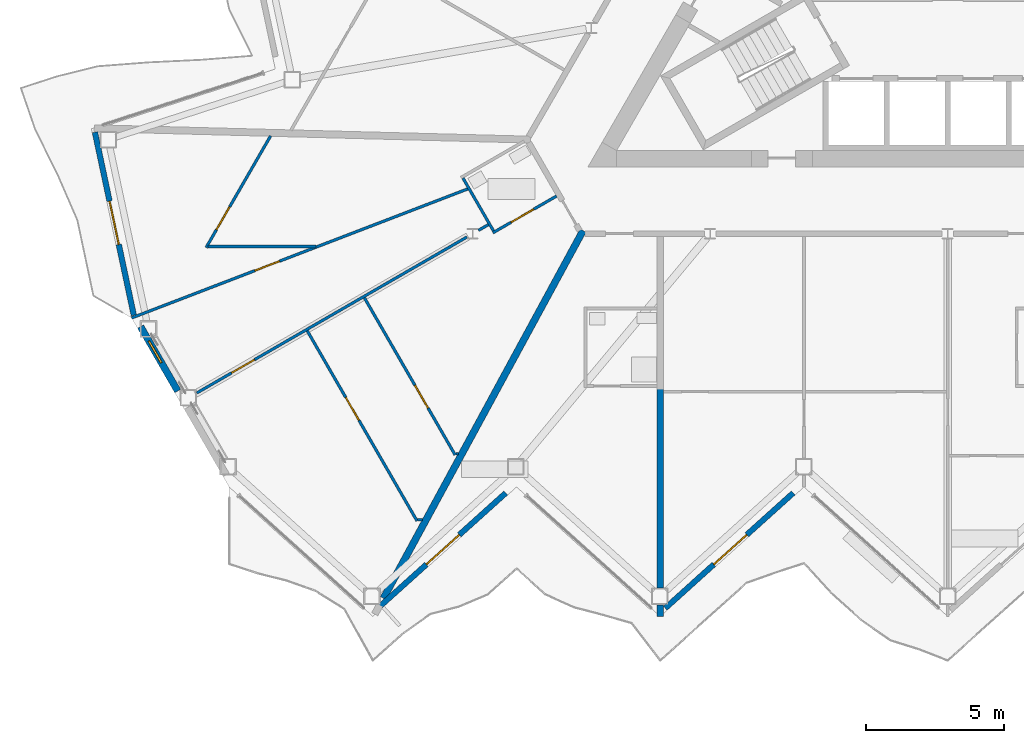
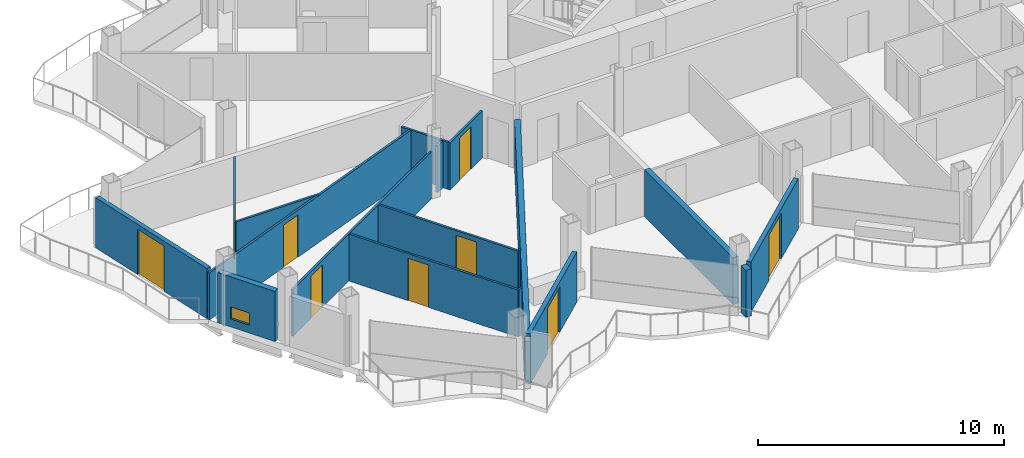
# One storey, part 13 of 28: 18 walls, 9 doors, 1 window, 10 openings.
"""IFC4 building model written with IfcOpenShell, lengths in metres."""

from ifc_helpers import new_model, si_unit, direction, frame, frame_2d, origin, place, context, subcontext, project, spatial, rectangle, extrude, material, layer, layer_set, type_object, element, fill, save


model = new_model("IFC4")

# Units and contexts
model_context = context("Model", 3, precision=1e-05, world=origin(), true_north=direction((0.0, 1.0)))
body_context = subcontext(model_context, "Body", "Model", "MODEL_VIEW")
ifc_project = project(units=[si_unit("LENGTHUNIT", "METRE"), si_unit("AREAUNIT", "SQUARE_METRE"), si_unit("VOLUMEUNIT", "CUBIC_METRE"), si_unit("PLANEANGLEUNIT", "RADIAN"), si_unit("MASSUNIT", "GRAM", prefix="KILO")], contexts=[model_context])

# Site, building, storey
site_placement = place(None, origin())
site = spatial("IfcSite", under=ifc_project, at=site_placement, CompositionType="ELEMENT")
building_placement = place(site_placement, origin())
building = spatial("IfcBuilding", under=site, at=building_placement, Name="Cormorant Prow Tower", CompositionType="ELEMENT")
storey_placement = place(building_placement, frame((0.0, 0.0, 305.199951171875)))
storey = spatial("IfcBuildingStorey", under=building, at=storey_placement, Name="L66", CompositionType="ELEMENT", Elevation=305.199951171875)

# Wall, opening, door
ifc_material_1 = material(Name="Gypsum board partition")
ifc_layer_1 = layer(ifc_material_1, 0.10009765625)
ifc_layer_set_1 = layer_set([ifc_layer_1], Name="Gypsum board partition")
wall_type_1 = type_object("IfcWallType", Name="Internal partition 100", PredefinedType="PARTITIONING", material=ifc_layer_set_1)
wall_1_placement = place(storey_placement, frame((-29.4794921875, -12.949951171875, 0.0), z_axis=(0.0, 0.0, 1.0), x_axis=(0.933581523131, 0.358365092703, 0.0)))
wall_1 = element("IfcWall", 1, at=wall_1_placement, inside=storey, type_object=wall_type_1, Name="Internal partition", PredefinedType="PARTITIONING", context=body_context, shape_type="SweptSolid", body=[
    extrude(rectangle(XDim=13.004638671875, YDim=0.10009765625, at=frame_2d((6.50244140625, 0.0))), origin(), (0.0, 0.0, 1.0), 2.330078125),
])
opening_1_placement = place(wall_1_placement, frame((4.771240234375, 0.0, 0.0)))
opening_1 = element("IfcOpeningElement", 2, at=opening_1_placement, cuts=wall_1, Name="Opening L66-F56", PredefinedType="OPENING", context=body_context, shape_type="SweptSolid", body=[
    extrude(rectangle(XDim=0.949951171875, YDim=2.10009765625, at=frame_2d((0.47509765625, 1.050048828125))), frame((0.0, 0.06005859375, 0.0), z_axis=(0.0, -1.0, 0.0), x_axis=(1.0, 0.0, 0.0)), (0.0, 0.0, 1.0), 0.1201171875),
])
ifc_material_2 = material(Name="Timber door leaf", Category="wood")
door_type_1 = type_object("IfcDoorType", Name="Bathroom door 950x2100", OperationType="NOTDEFINED", PredefinedType="DOOR", material=ifc_material_2)
door_1_placement = place(opening_1_placement, origin())
door_1 = element("IfcDoor", 3, at=door_1_placement, inside=storey, type_object=door_type_1, Name="Bedroom door", OperationType="SINGLE_SWING_LEFT", OverallHeight=2.10009765625, OverallWidth=0.949951171875, PredefinedType="DOOR", context=body_context, shape_type="SweptSolid", body=[
    extrude(rectangle(XDim=0.949951171875, YDim=2.10009765625, at=frame_2d((0.47509765625, 1.050048828125))), frame((0.0, 0.02490234375, 0.0), z_axis=(0.0, -1.0, 0.0), x_axis=(1.0, 0.0, 0.0)), (0.0, 0.0, 1.0), 0.050048828125),
])
fill(opening_1, door_1)

wall_2_placement = place(storey_placement, frame((-27.122314453125, -15.6591796875, 0.0), z_axis=(0.0, 0.0, 1.0), x_axis=(0.866021046153, 0.500007547564, 0.0)))
wall_2 = element("IfcWall", 4, at=wall_2_placement, inside=storey, type_object=wall_type_1, Name="Internal partition", PredefinedType="PARTITIONING", context=body_context, shape_type="SweptSolid", body=[
    extrude(rectangle(XDim=11.267333984375, YDim=0.10009765625, at=frame_2d((5.6337890625, 0.0))), origin(), (0.0, 0.0, 1.0), 2.330078125),
])
opening_2_placement = place(wall_2_placement, frame((1.4521484375, 0.0, 0.0)))
opening_2 = element("IfcOpeningElement", 5, at=opening_2_placement, cuts=wall_2, Name="Opening L66-F55", PredefinedType="OPENING", context=body_context, shape_type="SweptSolid", body=[
    extrude(rectangle(XDim=0.949951171875, YDim=2.10009765625, at=frame_2d((0.47509765625, 1.050048828125))), frame((0.0, 0.06005859375, 0.0), z_axis=(0.0, -1.0, 0.0), x_axis=(1.0, 0.0, 0.0)), (0.0, 0.0, 1.0), 0.1201171875),
])
door_2_placement = place(opening_2_placement, origin())
door_2 = element("IfcDoor", 6, at=door_2_placement, inside=storey, type_object=door_type_1, Name="Dining room door", OperationType="SINGLE_SWING_LEFT", OverallHeight=2.10009765625, OverallWidth=0.949951171875, PredefinedType="DOOR", context=body_context, shape_type="SweptSolid", body=[
    extrude(rectangle(XDim=0.949951171875, YDim=2.10009765625, at=frame_2d((0.47509765625, 1.050048828125))), frame((0.0, 0.02490234375, 0.0), z_axis=(0.0, -1.0, 0.0), x_axis=(1.0, 0.0, 0.0)), (0.0, 0.0, 1.0), 0.050048828125),
])
fill(opening_2, door_2)

wall_3_placement = place(storey_placement, frame((-23.1328125, -13.41357421875, 0.0), z_axis=(0.0, 0.0, 1.0), x_axis=(0.500014841469, -0.866016834889, 0.0)))
wall_3 = element("IfcWall", 7, at=wall_3_placement, inside=storey, type_object=wall_type_1, Name="Internal partition", PredefinedType="PARTITIONING", context=body_context, shape_type="SweptSolid", body=[
    extrude(rectangle(XDim=7.926513671875, YDim=0.10009765625, at=frame_2d((3.96337890625, 0.0))), origin(), (0.0, 0.0, 1.0), 2.330078125),
])
opening_3_placement = place(wall_3_placement, frame((2.780029296875, 0.0, 0.0)))
opening_3 = element("IfcOpeningElement", 8, at=opening_3_placement, cuts=wall_3, Name="Opening L66-F54", PredefinedType="OPENING", context=body_context, shape_type="SweptSolid", body=[
    extrude(rectangle(XDim=0.949951171875, YDim=2.10009765625, at=frame_2d((0.47509765625, 1.050048828125))), frame((0.0, 0.06005859375, 0.0), z_axis=(0.0, -1.0, 0.0), x_axis=(1.0, 0.0, 0.0)), (0.0, 0.0, 1.0), 0.1201171875),
])
door_3_placement = place(opening_3_placement, origin())
door_3 = element("IfcDoor", 9, at=door_3_placement, inside=storey, type_object=door_type_1, Name="Kitchen door", OperationType="SINGLE_SWING_LEFT", OverallHeight=2.10009765625, OverallWidth=0.949951171875, PredefinedType="DOOR", context=body_context, shape_type="SweptSolid", body=[
    extrude(rectangle(XDim=0.949951171875, YDim=2.10009765625, at=frame_2d((0.47509765625, 1.050048828125))), frame((0.0, 0.02490234375, 0.0), z_axis=(0.0, -1.0, 0.0), x_axis=(1.0, 0.0, 0.0)), (0.0, 0.0, 1.0), 0.050048828125),
])
fill(opening_3, door_3)

wall_4_placement = place(storey_placement, frame((-21.06884765625, -12.221923828125, 0.0), z_axis=(0.0, 0.0, 1.0), x_axis=(0.499991310556, -0.866030420579, 0.0)))
wall_4 = element("IfcWall", 10, at=wall_4_placement, inside=storey, type_object=wall_type_1, Name="Internal partition", PredefinedType="PARTITIONING", context=body_context, shape_type="SweptSolid", body=[
    extrude(rectangle(XDim=6.55029296875, YDim=0.10009765625, at=frame_2d((3.275146484375, 0.0))), origin(), (0.0, 0.0, 1.0), 2.330078125),
])
opening_4_placement = place(wall_4_placement, frame((3.650390625, 0.0, 0.0)))
opening_4 = element("IfcOpeningElement", 11, at=opening_4_placement, cuts=wall_4, Name="Opening L66-F53", PredefinedType="OPENING", context=body_context, shape_type="SweptSolid", body=[
    extrude(rectangle(XDim=0.949951171875, YDim=2.10009765625, at=frame_2d((0.47509765625, 1.050048828125))), frame((0.0, 0.06005859375, 0.0), z_axis=(0.0, -1.0, 0.0), x_axis=(1.0, 0.0, 0.0)), (0.0, 0.0, 1.0), 0.1201171875),
])
door_4_placement = place(opening_4_placement, origin())
door_4 = element("IfcDoor", 12, at=door_4_placement, inside=storey, type_object=door_type_1, Name="Living room door", OperationType="SINGLE_SWING_RIGHT", OverallHeight=2.10009765625, OverallWidth=0.949951171875, PredefinedType="DOOR", context=body_context, shape_type="SweptSolid", body=[
    extrude(rectangle(XDim=0.949951171875, YDim=2.10009765625, at=frame_2d((0.47509765625, 1.050048828125))), frame((0.0, 0.02490234375, 0.0), z_axis=(0.0, -1.0, 0.0), x_axis=(1.0, 0.0, 0.0)), (0.0, 0.0, 1.0), 0.050048828125),
])
fill(opening_4, door_4)

wall_5_placement = place(storey_placement, frame((-26.78759765625, -10.41015625, 0.0), z_axis=(0.0, 0.0, 1.0), x_axis=(0.499997484116, 0.866026856326, 0.0)))
wall_5 = element("IfcWall", 13, at=wall_5_placement, inside=storey, type_object=wall_type_1, Name="Internal partition", PredefinedType="PARTITIONING", context=body_context, shape_type="SweptSolid", body=[
    extrude(rectangle(XDim=4.66162109375, YDim=0.10009765625, at=frame_2d((2.330810546875, 0.0))), origin(), (0.0, 0.0, 1.0), 2.330078125),
])
opening_5_placement = place(wall_5_placement, frame((0.751708984375, 0.0, 0.0)))
opening_5 = element("IfcOpeningElement", 14, at=opening_5_placement, cuts=wall_5, Name="Opening L66-F57", PredefinedType="OPENING", context=body_context, shape_type="SweptSolid", body=[
    extrude(rectangle(XDim=0.949951171875, YDim=2.10009765625, at=frame_2d((0.47509765625, 1.050048828125))), frame((0.0, 0.06005859375, 0.0), z_axis=(0.0, -1.0, 0.0), x_axis=(1.0, 0.0, 0.0)), (0.0, 0.0, 1.0), 0.1201171875),
])
door_5_placement = place(opening_5_placement, origin())
door_5 = element("IfcDoor", 15, at=door_5_placement, inside=storey, type_object=door_type_1, Name="Bedroom door", OperationType="SINGLE_SWING_LEFT", OverallHeight=2.10009765625, OverallWidth=0.949951171875, PredefinedType="DOOR", context=body_context, shape_type="SweptSolid", body=[
    extrude(rectangle(XDim=0.949951171875, YDim=2.10009765625, at=frame_2d((0.47509765625, 1.050048828125))), frame((0.0, 0.02490234375, 0.0), z_axis=(0.0, -1.0, 0.0), x_axis=(1.0, 0.0, 0.0)), (0.0, 0.0, 1.0), 0.050048828125),
])
fill(opening_5, door_5)

# Wall
wall_6_placement = place(storey_placement, frame((-26.71240234375, -10.36669921875, 0.0), z_axis=(0.0, 0.0, 1.0), x_axis=(1.0, 0.0, 0.0)))
element("IfcWall", 16, at=wall_6_placement, inside=storey, type_object=wall_type_1, Name="Internal partition", PredefinedType="PARTITIONING", context=body_context, shape_type="SweptSolid", body=[
    extrude(rectangle(XDim=3.892578125, YDim=0.10009765625, at=frame_2d((1.9462890625, 0.0))), origin(), (0.0, 0.0, 1.0), 2.330078125),
])

# Wall, opening, door
wall_7_placement = place(storey_placement, frame((-16.425537109375, -9.872314453125, 0.0), z_axis=(0.0, 0.0, 1.0), x_axis=(0.866029095148, 0.499993606316, 0.0)))
wall_7 = element("IfcWall", 17, at=wall_7_placement, inside=storey, type_object=wall_type_1, Name="Internal partition", PredefinedType="PARTITIONING", context=body_context, shape_type="SweptSolid", body=[
    extrude(rectangle(XDim=2.64990234375, YDim=0.10009765625, at=frame_2d((1.324951171875, 0.0))), origin(), (0.0, 0.0, 1.0), 2.330078125),
])
opening_6_placement = place(wall_7_placement, frame((0.75, 0.0, 0.0)))
opening_6 = element("IfcOpeningElement", 18, at=opening_6_placement, cuts=wall_7, Name="Opening L66-F52", PredefinedType="OPENING", context=body_context, shape_type="SweptSolid", body=[
    extrude(rectangle(XDim=0.949951171875, YDim=2.10009765625, at=frame_2d((0.47509765625, 1.050048828125))), frame((0.0, 0.06005859375, 0.0), z_axis=(0.0, -1.0, 0.0), x_axis=(1.0, 0.0, 0.0)), (0.0, 0.0, 1.0), 0.1201171875),
])
door_6_placement = place(opening_6_placement, origin())
door_6 = element("IfcDoor", 19, at=door_6_placement, inside=storey, type_object=door_type_1, Name="Living room door", OperationType="SINGLE_SWING_LEFT", OverallHeight=2.10009765625, OverallWidth=0.949951171875, PredefinedType="DOOR", context=body_context, shape_type="SweptSolid", body=[
    extrude(rectangle(XDim=0.949951171875, YDim=2.10009765625, at=frame_2d((0.47509765625, 1.050048828125))), frame((0.0, 0.02490234375, 0.0), z_axis=(0.0, -1.0, 0.0), x_axis=(1.0, 0.0, 0.0)), (0.0, 0.0, 1.0), 0.050048828125),
])
fill(opening_6, door_6)

# Walls
wall_8_placement = place(storey_placement, frame((-17.507080078125, -7.89892578125, 0.0), z_axis=(0.0, 0.0, 1.0), x_axis=(0.499946605688, -0.86605622881, 0.0)))
element("IfcWall", 20, at=wall_8_placement, inside=storey, type_object=wall_type_1, Name="Internal partition", PredefinedType="PARTITIONING", context=body_context, shape_type="SweptSolid", body=[
    extrude(rectangle(XDim=2.199951171875, YDim=0.10009765625, at=frame_2d((1.10009765625, 0.0))), origin(), (0.0, 0.0, 1.0), 2.330078125),
])
wall_9_placement = place(storey_placement, frame((-16.94921875, -9.78564453125, 0.0), z_axis=(0.0, 0.0, 1.0), x_axis=(0.866036909293, 0.499980071345, 0.0)))
element("IfcWall", 21, at=wall_9_placement, inside=storey, type_object=wall_type_1, Name="Internal partition", PredefinedType="PARTITIONING", context=body_context, shape_type="SweptSolid", body=[
    extrude(rectangle(XDim=0.41015625, YDim=0.10009765625, at=frame_2d((0.205078125, 0.0))), origin(), (0.0, 0.0, 1.0), 2.330078125),
])
wall_10_placement = place(storey_placement, frame((-19.14453125, -20.23486328125, 0.0), z_axis=(0.0, 0.0, 1.0), x_axis=(1.0, 0.0, 0.0)))
element("IfcWall", 22, at=wall_10_placement, inside=storey, type_object=wall_type_1, Name="Internal partition", PredefinedType="PARTITIONING", context=body_context, shape_type="SweptSolid", body=[
    extrude(rectangle(XDim=0.18017578125, YDim=0.10009765625, at=frame_2d((0.090087890625, 0.0))), origin(), (0.0, 0.0, 1.0), 2.330078125),
])
wall_11_placement = place(storey_placement, frame((-17.7685546875, -17.8515625, 0.0), z_axis=(0.0, 0.0, 1.0), x_axis=(1.0, 0.0, 0.0)))
element("IfcWall", 23, at=wall_11_placement, inside=storey, type_object=wall_type_1, Name="Internal partition", PredefinedType="PARTITIONING", context=body_context, shape_type="SweptSolid", body=[
    extrude(rectangle(XDim=0.09814453125, YDim=0.10009765625, at=frame_2d((0.049072265625, 0.0))), origin(), (0.0, 0.0, 1.0), 2.330078125),
])
ifc_material_3 = material(Name="Acoustic gypsum party wall")
ifc_layer_2 = layer(ifc_material_3, 0.25)
ifc_layer_set_2 = layer_set([ifc_layer_2], Name="Acoustic gypsum party wall")
wall_type_2 = type_object("IfcWallType", Name="Suite party wall 250", PredefinedType="PARTITIONING", material=ifc_layer_set_2)
wall_12_placement = place(storey_placement, frame((-20.38330078125, -23.078125, 0.0), z_axis=(0.0, 0.0, 1.0), x_axis=(0.477177412766, 0.878806984921, 0.0)))
element("IfcWall", 24, at=wall_12_placement, inside=storey, type_object=wall_type_2, Name="Suite party wall", PredefinedType="PARTITIONING", context=body_context, shape_type="SweptSolid", body=[
    extrude(rectangle(XDim=15.1142578125, YDim=0.25, at=frame_2d((7.55712890625, 0.0))), origin(), (0.0, 0.0, 1.0), 2.330078125),
])
wall_13_placement = place(storey_placement, frame((-10.3818359375, -22.697998046875, 0.0), z_axis=(0.0, 0.0, 1.0), x_axis=(0.0, 1.0, 0.0)))
element("IfcWall", 25, at=wall_13_placement, inside=storey, type_object=wall_type_2, Name="Suite party wall", PredefinedType="PARTITIONING", context=body_context, shape_type="SweptSolid", body=[
    extrude(rectangle(XDim=7.220458984375, YDim=0.25, at=frame_2d((3.6103515625, 0.0))), origin(), (0.0, 0.0, 1.0), 2.330078125),
])
wall_14_placement = place(storey_placement, frame((-10.3818359375, -23.72900390625, 0.0), z_axis=(0.0, 0.0, 1.0), x_axis=(0.0, 1.0, 0.0)))
element("IfcWall", 26, at=wall_14_placement, inside=storey, type_object=wall_type_2, Name="Suite party wall", PredefinedType="PARTITIONING", context=body_context, shape_type="SweptSolid", body=[
    extrude(rectangle(XDim=0.410888671875, YDim=0.25, at=frame_2d((0.20556640625, 0.0))), origin(), (0.0, 0.0, 1.0), 2.330078125),
])

# Wall, opening, window
ifc_material_4 = material(Name="Terracotta", Category="masonry")
ifc_layer_3 = layer(ifc_material_4, 0.25)
ifc_layer_set_3 = layer_set([ifc_layer_3], Name="Terracotta")
wall_type_3 = type_object("IfcWallType", Name="Terracotta bay wall 250", PredefinedType="SOLIDWALL", material=ifc_layer_set_3)
wall_15_placement = place(storey_placement, frame((-29.154296875, -13.263427734375, 0.0), z_axis=(0.0, 0.0, 1.0), x_axis=(0.500032109083, -0.866006864803, 0.0)))
wall_15 = element("IfcWall", 27, at=wall_15_placement, inside=storey, type_object=wall_type_3, Name="Terracotta bay wall WSW00", PredefinedType="SOLIDWALL", context=body_context, shape_type="SweptSolid", body=[
    extrude(rectangle(XDim=2.684326171875, YDim=0.25, at=frame_2d((1.34228515625, 0.0))), origin(), (0.0, 0.0, 1.0), 2.488037109375),
])
opening_7_placement = place(wall_15_placement, frame((0.60009765625, 0.0, 0.39990234375)))
opening_7 = element("IfcOpeningElement", 28, at=opening_7_placement, cuts=wall_15, Name="Opening WN7", PredefinedType="OPENING", context=body_context, shape_type="SweptSolid", body=[
    extrude(rectangle(XDim=0.89990234375, YDim=0.60009765625, at=frame_2d((0.449951171875, 0.300048828125))), frame((0.0, 0.135009765625, 0.0), z_axis=(0.0, -1.0, 0.0), x_axis=(1.0, 0.0, 0.0)), (0.0, 0.0, 1.0), 0.27001953125),
])
ifc_material_5 = material(Name="Aluminium 6063-T6", Category="aluminium")
window_type = type_object("IfcWindowType", Name="Corner bay window 900x600", PartitioningType="SINGLE_PANEL", PredefinedType="WINDOW", material=ifc_material_5)
window_placement = place(opening_7_placement, origin())
window = element("IfcWindow", 29, at=window_placement, inside=storey, type_object=window_type, Name="Corner bay window WSW00", OverallHeight=0.60009765625, OverallWidth=0.89990234375, PartitioningType="SINGLE_PANEL", PredefinedType="WINDOW", context=body_context, shape_type="SweptSolid", body=[
    extrude(rectangle(XDim=0.89990234375, YDim=0.60009765625, at=frame_2d((0.449951171875, 0.300048828125))), frame((0.0, 0.030029296875, 0.0), z_axis=(0.0, -1.0, 0.0), x_axis=(1.0, 0.0, 0.0)), (0.0, 0.0, 1.0), 0.06005859375),
])
fill(opening_7, window)

# Wall, opening, door
ifc_material_6 = material(Name="Terracotta", Category="masonry")
ifc_layer_4 = layer(ifc_material_6, 0.199951171875)
ifc_layer_set_4 = layer_set([ifc_layer_4], Name="Terracotta")
wall_type_4 = type_object("IfcWallType", Name="Terracotta jamb wall 200", PredefinedType="SOLIDWALL", material=ifc_layer_set_4)
wall_16_placement = place(storey_placement, frame((-20.508056640625, -23.3642578125, 0.0), z_axis=(0.0, 0.0, 1.0), x_axis=(0.743135364919, 0.669141113224, 0.0)))
wall_16 = element("IfcWall", 30, at=wall_16_placement, inside=storey, type_object=wall_type_4, Name="Terracotta jamb wall S01", PredefinedType="SOLIDWALL", context=body_context, shape_type="SweptSolid", body=[
    extrude(rectangle(XDim=6.1171875, YDim=0.199951171875, at=frame_2d((3.05859375, 0.0))), origin(), (0.0, 0.0, 1.0), 2.488037109375),
])
opening_8_placement = place(wall_16_placement, frame((2.258544921875, 0.0, 0.0)))
opening_8 = element("IfcOpeningElement", 31, at=opening_8_placement, cuts=wall_16, Name="Opening ED66.01", PredefinedType="OPENING", context=body_context, shape_type="SweptSolid", body=[
    extrude(rectangle(XDim=1.60009765625, YDim=2.25, at=frame_2d((0.800048828125, 1.125))), frame((0.0, 0.10986328125, 0.0), z_axis=(0.0, -1.0, 0.0), x_axis=(1.0, 0.0, 0.0)), (0.0, 0.0, 1.0), 0.219970703125),
])
ifc_material_7 = material(Name="Aluminium 6063-T6", Category="aluminium")
door_type_2 = type_object("IfcDoorType", Name="Balcony door 1600x2250", OperationType="DOUBLE_DOOR_SINGLE_SWING", PredefinedType="DOOR", material=ifc_material_7)
door_7_placement = place(opening_8_placement, origin())
door_7 = element("IfcDoor", 32, at=door_7_placement, inside=storey, type_object=door_type_2, Name="Balcony door S01 ED66.01", OperationType="DOUBLE_DOOR_SINGLE_SWING", OverallHeight=2.25, OverallWidth=1.60009765625, PredefinedType="DOOR", context=body_context, shape_type="SweptSolid", body=[
    extrude(rectangle(XDim=1.60009765625, YDim=2.25, at=frame_2d((0.800048828125, 1.125))), frame((0.0, 0.02490234375, 0.0), z_axis=(0.0, -1.0, 0.0), x_axis=(1.0, 0.0, 0.0)), (0.0, 0.0, 1.0), 0.050048828125),
])
fill(opening_8, door_7)

wall_17_placement = place(storey_placement, frame((-10.203369140625, -23.43359375, 0.0), z_axis=(0.0, 0.0, 1.0), x_axis=(0.74314582041, 0.669129501373, 0.0)))
wall_17 = element("IfcWall", 33, at=wall_17_placement, inside=storey, type_object=wall_type_4, Name="Terracotta jamb wall S03", PredefinedType="SOLIDWALL", context=body_context, shape_type="SweptSolid", body=[
    extrude(rectangle(XDim=6.220947265625, YDim=0.199951171875, at=frame_2d((3.1103515625, 0.0))), origin(), (0.0, 0.0, 1.0), 2.488037109375),
])
opening_9_placement = place(wall_17_placement, frame((2.3623046875, 0.0, 0.0)))
opening_9 = element("IfcOpeningElement", 34, at=opening_9_placement, cuts=wall_17, Name="Opening ED66.02", PredefinedType="OPENING", context=body_context, shape_type="SweptSolid", body=[
    extrude(rectangle(XDim=1.60009765625, YDim=2.25, at=frame_2d((0.800048828125, 1.125))), frame((0.0, 0.10986328125, 0.0), z_axis=(0.0, -1.0, 0.0), x_axis=(1.0, 0.0, 0.0)), (0.0, 0.0, 1.0), 0.219970703125),
])
door_8_placement = place(opening_9_placement, origin())
door_8 = element("IfcDoor", 35, at=door_8_placement, inside=storey, type_object=door_type_2, Name="Balcony door S03 ED66.02", OperationType="DOUBLE_DOOR_SINGLE_SWING", OverallHeight=2.25, OverallWidth=1.60009765625, PredefinedType="DOOR", context=body_context, shape_type="SweptSolid", body=[
    extrude(rectangle(XDim=1.60009765625, YDim=2.25, at=frame_2d((0.800048828125, 1.125))), frame((0.0, 0.02490234375, 0.0), z_axis=(0.0, -1.0, 0.0), x_axis=(1.0, 0.0, 0.0)), (0.0, 0.0, 1.0), 0.050048828125),
])
fill(opening_9, door_8)

wall_18_placement = place(storey_placement, frame((-30.80322265625, -6.24072265625, 0.0), z_axis=(0.0, 0.0, 1.0), x_axis=(0.207917941651, -0.978146272057, 0.0)))
wall_18 = element("IfcWall", 36, at=wall_18_placement, inside=storey, type_object=wall_type_4, Name="Terracotta jamb wall WNW09", PredefinedType="SOLIDWALL", context=body_context, shape_type="SweptSolid", body=[
    extrude(rectangle(XDim=6.7587890625, YDim=0.199951171875, at=frame_2d((3.37939453125, 0.0))), origin(), (0.0, 0.0, 1.0), 2.488037109375),
])
opening_10_placement = place(wall_18_placement, frame((2.54541015625, 0.0, 0.0)))
opening_10 = element("IfcOpeningElement", 37, at=opening_10_placement, cuts=wall_18, Name="Opening ED66.15", PredefinedType="OPENING", context=body_context, shape_type="SweptSolid", body=[
    extrude(rectangle(XDim=1.60009765625, YDim=2.25, at=frame_2d((0.800048828125, 1.125))), frame((0.0, 0.10986328125, 0.0), z_axis=(0.0, -1.0, 0.0), x_axis=(1.0, 0.0, 0.0)), (0.0, 0.0, 1.0), 0.219970703125),
])
door_9_placement = place(opening_10_placement, origin())
door_9 = element("IfcDoor", 38, at=door_9_placement, inside=storey, type_object=door_type_2, Name="Balcony door WNW09 ED66.15", OperationType="DOUBLE_DOOR_SINGLE_SWING", OverallHeight=2.25, OverallWidth=1.60009765625, PredefinedType="DOOR", context=body_context, shape_type="SweptSolid", body=[
    extrude(rectangle(XDim=1.60009765625, YDim=2.25, at=frame_2d((0.800048828125, 1.125))), frame((0.0, 0.02490234375, 0.0), z_axis=(0.0, -1.0, 0.0), x_axis=(1.0, 0.0, 0.0)), (0.0, 0.0, 1.0), 0.050048828125),
])
fill(opening_10, door_9)

save(model, "model.ifc")
